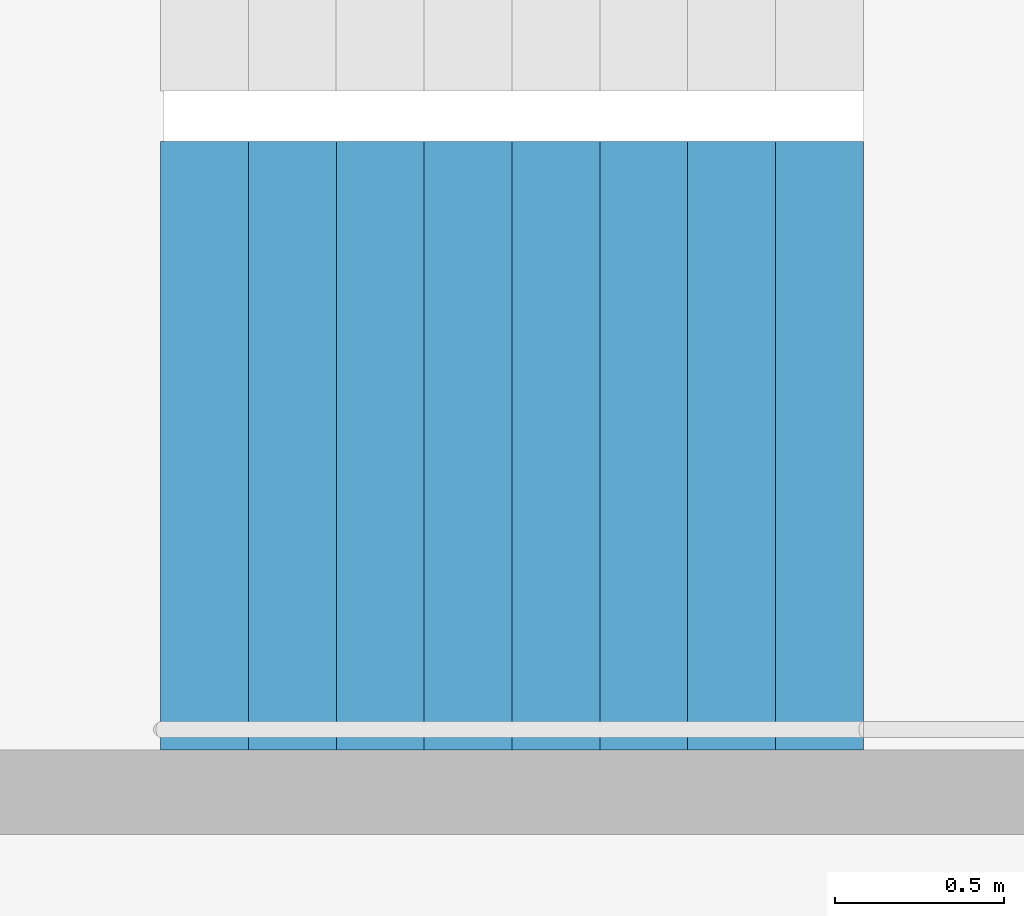
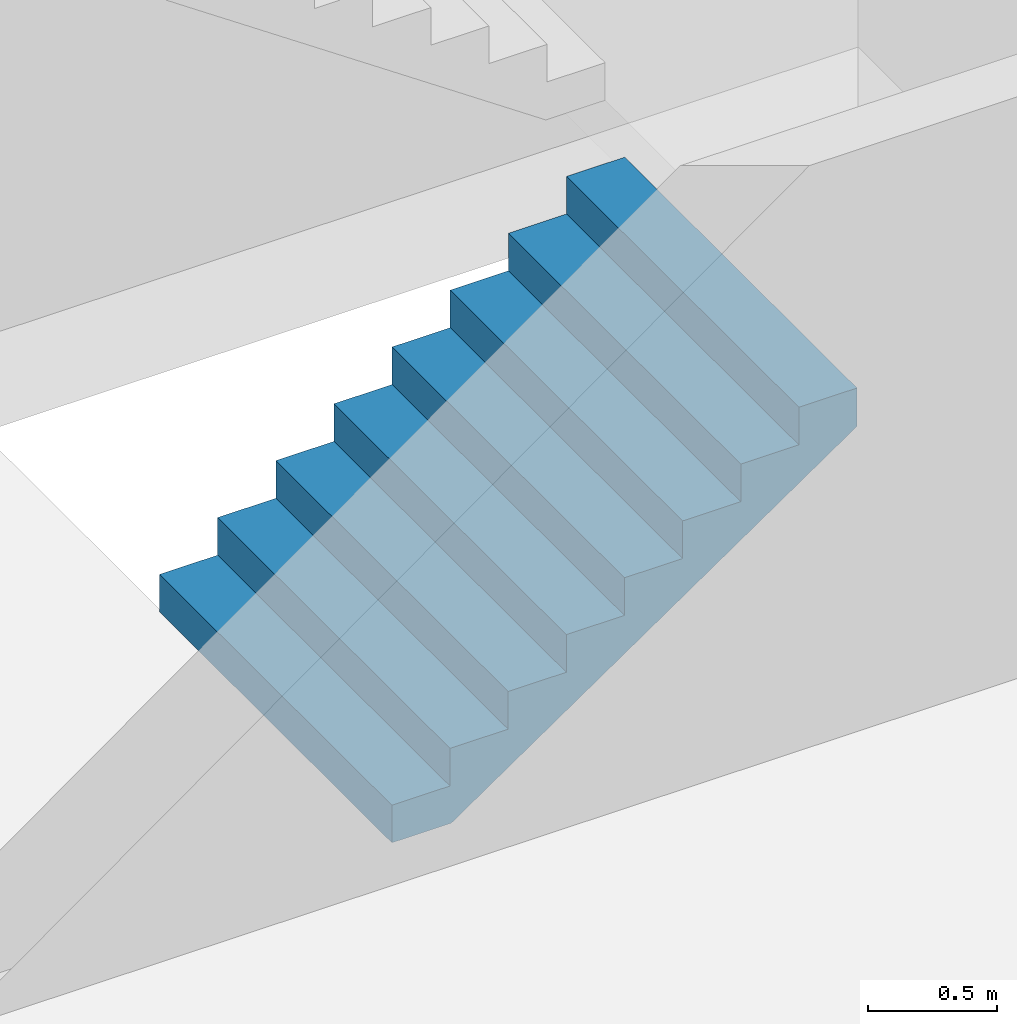
# One storey, part 20 of 26: 1 stair flight, 1 element without a shape of its own.
"""IFC4 building model written with IfcOpenShell, lengths in metres."""

from ifc_helpers import new_model, si_unit, direction, frame, origin, place, context, subcontext, project, spatial, triangles, material, type_object, element, aggregate, save


model = new_model("IFC4")

# Units and contexts
model_context = context("Model", 3, precision=1e-05, world=origin(), true_north=direction((0.0, 1.0)))
body_context = subcontext(model_context, "Body", "Model", "MODEL_VIEW")
ifc_project = project(units=[si_unit("LENGTHUNIT", "METRE"), si_unit("AREAUNIT", "SQUARE_METRE"), si_unit("VOLUMEUNIT", "CUBIC_METRE"), si_unit("PLANEANGLEUNIT", "RADIAN"), si_unit("MASSUNIT", "GRAM", prefix="KILO")], contexts=[model_context])

# Site, building, storey
site_placement = place(None, origin())
site = spatial("IfcSite", under=ifc_project, at=site_placement, CompositionType="ELEMENT")
building_placement = place(site_placement, origin())
building = spatial("IfcBuilding", under=site, at=building_placement, Name="Hakoniwa Tower and Hamabe Station Hall", CompositionType="ELEMENT")
storey_placement = place(building_placement, frame((0.0, 0.0, 140.60009765625)))
storey = spatial("IfcBuildingStorey", under=building, at=storey_placement, Name="L39", CompositionType="ELEMENT", Elevation=140.60009765625)

# Stair, stair flight
ifc_material_1 = material(Name="Concrete C40", Category="concrete")
stair_type = type_object("IfcStairType", Name="ESCAPE STAIR 1800", PredefinedType="HALF_TURN_STAIR", material=ifc_material_1)
stair_placement = place(storey_placement, origin())
stair = element("IfcStair", 1, at=stair_placement, inside=storey, type_object=stair_type, Name="Escape stair ST-1 L39", PredefinedType="HALF_TURN_STAIR")
ifc_material_2 = material(Name="Concrete C40", Category="concrete")
stair_flight_type = type_object("IfcStairFlightType", Name="STAIR FLIGHT 1800", PredefinedType="STRAIGHT", material=ifc_material_2)
stair_flight_placement = place(storey_placement, frame((-24.39990234375, 4.64990234375, 0.0), z_axis=(0.0, 0.0, 1.0), x_axis=(1.0, 0.0, 0.0)))
stair_flight = element("IfcStairFlight", 2, at=stair_flight_placement, type_object=stair_flight_type, Name="ST-1 flight 1", NumberOfRisers=9, NumberOfTreads=8, PredefinedType="STRAIGHT", RiserHeight=0.177777778, TreadLength=0.26, context=body_context, shape_type="Tessellation", body=[
    triangles([(0.0, 0.89990234375, 0.0), (0.260009765625, 0.89990234375, 0.0), (0.265625, 0.89990234375, 0.0), (0.52001953125, 0.89990234375, 0.174072265625), (0.780029296875, 0.89990234375, 0.351806640625), (1.0400390625, 0.89990234375, 0.529541015625), (1.300048828125, 0.89990234375, 0.707275390625), (1.56005859375, 0.89990234375, 0.885009765625), (1.820068359375, 0.89990234375, 1.062744140625), (2.080078125, 0.89990234375, 1.24072265625), (2.080078125, 0.89990234375, 1.422119140625), (1.820068359375, 0.89990234375, 1.422119140625), (1.820068359375, 0.89990234375, 1.244384765625), (1.56005859375, 0.89990234375, 1.244384765625), (1.56005859375, 0.89990234375, 1.066650390625), (1.300048828125, 0.89990234375, 1.066650390625), (1.300048828125, 0.89990234375, 0.888916015625), (1.0400390625, 0.89990234375, 0.888916015625), (1.0400390625, 0.89990234375, 0.711181640625), (0.780029296875, 0.89990234375, 0.711181640625), (0.780029296875, 0.89990234375, 0.533447265625), (0.52001953125, 0.89990234375, 0.533447265625), (0.52001953125, 0.89990234375, 0.35546875), (0.265625, 0.89990234375, 0.35546875), (0.260009765625, 0.89990234375, 0.35546875), (0.260009765625, 0.89990234375, 0.177734375), (0.0, 0.89990234375, 0.177734375), (0.0, 0.06005859375, 0.0), (0.260009765625, 0.06005859375, 0.0), (0.265625, 0.06005859375, 0.0), (0.52001953125, 0.06005859375, 0.174072265625), (0.780029296875, 0.06005859375, 0.351806640625), (1.0400390625, 0.06005859375, 0.529541015625), (1.300048828125, 0.06005859375, 0.707275390625), (1.56005859375, 0.06005859375, 0.885009765625), (1.820068359375, 0.06005859375, 1.062744140625), (2.080078125, 0.06005859375, 1.24072265625), (2.080078125, 0.06005859375, 1.422119140625), (1.820068359375, 0.06005859375, 1.422119140625), (1.820068359375, 0.06005859375, 1.244384765625), (1.56005859375, 0.06005859375, 1.244384765625), (1.56005859375, 0.06005859375, 1.066650390625), (1.300048828125, 0.06005859375, 1.066650390625), (1.300048828125, 0.06005859375, 0.888916015625), (1.0400390625, 0.06005859375, 0.888916015625), (1.0400390625, 0.06005859375, 0.711181640625), (0.780029296875, 0.06005859375, 0.711181640625), (0.780029296875, 0.06005859375, 0.533447265625), (0.52001953125, 0.06005859375, 0.533447265625), (0.52001953125, 0.06005859375, 0.35546875), (0.265625, 0.06005859375, 0.35546875), (0.260009765625, 0.06005859375, 0.35546875), (0.260009765625, 0.06005859375, 0.177734375), (0.0, 0.06005859375, 0.177734375), (0.0, 0.04296875, 0.0), (0.260009765625, 0.04296875, 0.0), (0.265625, 0.04296875, 0.0), (0.52001953125, 0.04296875, 0.174072265625), (0.780029296875, 0.04296875, 0.351806640625), (1.0400390625, 0.04296875, 0.529541015625), (1.300048828125, 0.04296875, 0.707275390625), (1.56005859375, 0.04296875, 0.885009765625), (1.820068359375, 0.04296875, 1.062744140625), (2.080078125, 0.04296875, 1.24072265625), (2.080078125, 0.04296875, 1.422119140625), (1.820068359375, 0.04296875, 1.422119140625), (1.820068359375, 0.04296875, 1.244384765625), (1.56005859375, 0.04296875, 1.244384765625), (1.56005859375, 0.04296875, 1.066650390625), (1.300048828125, 0.04296875, 1.066650390625), (1.300048828125, 0.04296875, 0.888916015625), (1.0400390625, 0.04296875, 0.888916015625), (1.0400390625, 0.04296875, 0.711181640625), (0.780029296875, 0.04296875, 0.711181640625), (0.780029296875, 0.04296875, 0.533447265625), (0.52001953125, 0.04296875, 0.533447265625), (0.52001953125, 0.04296875, 0.35546875), (0.265625, 0.04296875, 0.35546875), (0.260009765625, 0.04296875, 0.35546875), (0.260009765625, 0.04296875, 0.177734375), (0.0, 0.04296875, 0.177734375), (0.0, 0.025634765625, 0.0), (0.260009765625, 0.025634765625, 0.0), (0.265625, 0.025634765625, 0.0), (0.52001953125, 0.025634765625, 0.174072265625), (0.780029296875, 0.025634765625, 0.351806640625), (1.0400390625, 0.025634765625, 0.529541015625), (1.300048828125, 0.025634765625, 0.707275390625), (1.56005859375, 0.025634765625, 0.885009765625), (1.820068359375, 0.025634765625, 1.062744140625), (2.080078125, 0.025634765625, 1.24072265625), (2.080078125, 0.025634765625, 1.422119140625), (1.820068359375, 0.025634765625, 1.422119140625), (1.820068359375, 0.025634765625, 1.244384765625), (1.56005859375, 0.025634765625, 1.244384765625), (1.56005859375, 0.025634765625, 1.066650390625), (1.300048828125, 0.025634765625, 1.066650390625), (1.300048828125, 0.025634765625, 0.888916015625), (1.0400390625, 0.025634765625, 0.888916015625), (1.0400390625, 0.025634765625, 0.711181640625), (0.780029296875, 0.025634765625, 0.711181640625), (0.780029296875, 0.025634765625, 0.533447265625), (0.52001953125, 0.025634765625, 0.533447265625), (0.52001953125, 0.025634765625, 0.35546875), (0.265625, 0.025634765625, 0.35546875), (0.260009765625, 0.025634765625, 0.35546875), (0.260009765625, 0.025634765625, 0.177734375), (0.0, 0.025634765625, 0.177734375), (0.0, 0.008544921875, 0.0), (0.260009765625, 0.008544921875, 0.0), (0.265625, 0.008544921875, 0.0), (0.52001953125, 0.008544921875, 0.174072265625), (0.780029296875, 0.008544921875, 0.351806640625), (1.0400390625, 0.008544921875, 0.529541015625), (1.300048828125, 0.008544921875, 0.707275390625), (1.56005859375, 0.008544921875, 0.885009765625), (1.820068359375, 0.008544921875, 1.062744140625), (2.080078125, 0.008544921875, 1.24072265625), (2.080078125, 0.008544921875, 1.422119140625), (1.820068359375, 0.008544921875, 1.422119140625), (1.820068359375, 0.008544921875, 1.244384765625), (1.56005859375, 0.008544921875, 1.244384765625), (1.56005859375, 0.008544921875, 1.066650390625), (1.300048828125, 0.008544921875, 1.066650390625), (1.300048828125, 0.008544921875, 0.888916015625), (1.0400390625, 0.008544921875, 0.888916015625), (1.0400390625, 0.008544921875, 0.711181640625), (0.780029296875, 0.008544921875, 0.711181640625), (0.780029296875, 0.008544921875, 0.533447265625), (0.52001953125, 0.008544921875, 0.533447265625), (0.52001953125, 0.008544921875, 0.35546875), (0.265625, 0.008544921875, 0.35546875), (0.260009765625, 0.008544921875, 0.35546875), (0.260009765625, 0.008544921875, 0.177734375), (0.0, 0.008544921875, 0.177734375), (0.0, -0.008544921875, 0.0), (0.260009765625, -0.008544921875, 0.0), (0.265625, -0.008544921875, 0.0), (0.52001953125, -0.008544921875, 0.174072265625), (0.780029296875, -0.008544921875, 0.351806640625), (1.0400390625, -0.008544921875, 0.529541015625), (1.300048828125, -0.008544921875, 0.707275390625), (1.56005859375, -0.008544921875, 0.885009765625), (1.820068359375, -0.008544921875, 1.062744140625), (2.080078125, -0.008544921875, 1.24072265625), (2.080078125, -0.008544921875, 1.422119140625), (1.820068359375, -0.008544921875, 1.422119140625), (1.820068359375, -0.008544921875, 1.244384765625), (1.56005859375, -0.008544921875, 1.244384765625), (1.56005859375, -0.008544921875, 1.066650390625), (1.300048828125, -0.008544921875, 1.066650390625), (1.300048828125, -0.008544921875, 0.888916015625), (1.0400390625, -0.008544921875, 0.888916015625), (1.0400390625, -0.008544921875, 0.711181640625), (0.780029296875, -0.008544921875, 0.711181640625), (0.780029296875, -0.008544921875, 0.533447265625), (0.52001953125, -0.008544921875, 0.533447265625), (0.52001953125, -0.008544921875, 0.35546875), (0.265625, -0.008544921875, 0.35546875), (0.260009765625, -0.008544921875, 0.35546875), (0.260009765625, -0.008544921875, 0.177734375), (0.0, -0.008544921875, 0.177734375), (0.0, -0.025634765625, 0.0), (0.260009765625, -0.025634765625, 0.0), (0.265625, -0.025634765625, 0.0), (0.52001953125, -0.025634765625, 0.174072265625), (0.780029296875, -0.025634765625, 0.351806640625), (1.0400390625, -0.025634765625, 0.529541015625), (1.300048828125, -0.025634765625, 0.707275390625), (1.56005859375, -0.025634765625, 0.885009765625), (1.820068359375, -0.025634765625, 1.062744140625), (2.080078125, -0.025634765625, 1.24072265625), (2.080078125, -0.025634765625, 1.422119140625), (1.820068359375, -0.025634765625, 1.422119140625), (1.820068359375, -0.025634765625, 1.244384765625), (1.56005859375, -0.025634765625, 1.244384765625), (1.56005859375, -0.025634765625, 1.066650390625), (1.300048828125, -0.025634765625, 1.066650390625), (1.300048828125, -0.025634765625, 0.888916015625), (1.0400390625, -0.025634765625, 0.888916015625), (1.0400390625, -0.025634765625, 0.711181640625), (0.780029296875, -0.025634765625, 0.711181640625), (0.780029296875, -0.025634765625, 0.533447265625), (0.52001953125, -0.025634765625, 0.533447265625), (0.52001953125, -0.025634765625, 0.35546875), (0.265625, -0.025634765625, 0.35546875), (0.260009765625, -0.025634765625, 0.35546875), (0.260009765625, -0.025634765625, 0.177734375), (0.0, -0.025634765625, 0.177734375), (0.0, -0.04296875, 0.0), (0.260009765625, -0.04296875, 0.0), (0.265625, -0.04296875, 0.0), (0.52001953125, -0.04296875, 0.174072265625), (0.780029296875, -0.04296875, 0.351806640625), (1.0400390625, -0.04296875, 0.529541015625), (1.300048828125, -0.04296875, 0.707275390625), (1.56005859375, -0.04296875, 0.885009765625), (1.820068359375, -0.04296875, 1.062744140625), (2.080078125, -0.04296875, 1.24072265625), (2.080078125, -0.04296875, 1.422119140625), (1.820068359375, -0.04296875, 1.422119140625), (1.820068359375, -0.04296875, 1.244384765625), (1.56005859375, -0.04296875, 1.244384765625), (1.56005859375, -0.04296875, 1.066650390625), (1.300048828125, -0.04296875, 1.066650390625), (1.300048828125, -0.04296875, 0.888916015625), (1.0400390625, -0.04296875, 0.888916015625), (1.0400390625, -0.04296875, 0.711181640625), (0.780029296875, -0.04296875, 0.711181640625), (0.780029296875, -0.04296875, 0.533447265625), (0.52001953125, -0.04296875, 0.533447265625), (0.52001953125, -0.04296875, 0.35546875), (0.265625, -0.04296875, 0.35546875), (0.260009765625, -0.04296875, 0.35546875), (0.260009765625, -0.04296875, 0.177734375), (0.0, -0.04296875, 0.177734375), (0.0, -0.06005859375, 0.0), (0.260009765625, -0.06005859375, 0.0), (0.265625, -0.06005859375, 0.0), (0.52001953125, -0.06005859375, 0.174072265625), (0.780029296875, -0.06005859375, 0.351806640625), (1.0400390625, -0.06005859375, 0.529541015625), (1.300048828125, -0.06005859375, 0.707275390625), (1.56005859375, -0.06005859375, 0.885009765625), (1.820068359375, -0.06005859375, 1.062744140625), (2.080078125, -0.06005859375, 1.24072265625), (2.080078125, -0.06005859375, 1.422119140625), (1.820068359375, -0.06005859375, 1.422119140625), (1.820068359375, -0.06005859375, 1.244384765625), (1.56005859375, -0.06005859375, 1.244384765625), (1.56005859375, -0.06005859375, 1.066650390625), (1.300048828125, -0.06005859375, 1.066650390625), (1.300048828125, -0.06005859375, 0.888916015625), (1.0400390625, -0.06005859375, 0.888916015625), (1.0400390625, -0.06005859375, 0.711181640625), (0.780029296875, -0.06005859375, 0.711181640625), (0.780029296875, -0.06005859375, 0.533447265625), (0.52001953125, -0.06005859375, 0.533447265625), (0.52001953125, -0.06005859375, 0.35546875), (0.265625, -0.06005859375, 0.35546875), (0.260009765625, -0.06005859375, 0.35546875), (0.260009765625, -0.06005859375, 0.177734375), (0.0, -0.06005859375, 0.177734375), (0.0, -0.89990234375, 0.0), (0.260009765625, -0.89990234375, 0.0), (0.265625, -0.89990234375, 0.0), (0.52001953125, -0.89990234375, 0.174072265625), (0.780029296875, -0.89990234375, 0.351806640625), (1.0400390625, -0.89990234375, 0.529541015625), (1.300048828125, -0.89990234375, 0.707275390625), (1.56005859375, -0.89990234375, 0.885009765625), (1.820068359375, -0.89990234375, 1.062744140625), (2.080078125, -0.89990234375, 1.24072265625), (2.080078125, -0.89990234375, 1.422119140625), (1.820068359375, -0.89990234375, 1.422119140625), (1.820068359375, -0.89990234375, 1.244384765625), (1.56005859375, -0.89990234375, 1.244384765625), (1.56005859375, -0.89990234375, 1.066650390625), (1.300048828125, -0.89990234375, 1.066650390625), (1.300048828125, -0.89990234375, 0.888916015625), (1.0400390625, -0.89990234375, 0.888916015625), (1.0400390625, -0.89990234375, 0.711181640625), (0.780029296875, -0.89990234375, 0.711181640625), (0.780029296875, -0.89990234375, 0.533447265625), (0.52001953125, -0.89990234375, 0.533447265625), (0.52001953125, -0.89990234375, 0.35546875), (0.265625, -0.89990234375, 0.35546875), (0.260009765625, -0.89990234375, 0.35546875), (0.260009765625, -0.89990234375, 0.177734375), (0.0, -0.89990234375, 0.177734375)], [[2, 27, 26], [245, 269, 270], [2, 1, 27], [245, 270, 244], [3, 25, 24], [246, 267, 268], [3, 26, 25], [246, 268, 269], [3, 2, 26], [246, 269, 245], [4, 24, 23], [247, 266, 267], [4, 3, 24], [247, 267, 246], [5, 22, 21], [248, 264, 265], [5, 23, 22], [248, 265, 266], [5, 4, 23], [248, 266, 247], [6, 20, 19], [249, 262, 263], [6, 21, 20], [249, 263, 264], [6, 5, 21], [249, 264, 248], [7, 18, 17], [250, 260, 261], [7, 19, 18], [250, 261, 262], [7, 6, 19], [250, 262, 249], [8, 16, 15], [251, 258, 259], [8, 17, 16], [251, 259, 260], [8, 7, 17], [251, 260, 250], [9, 14, 13], [252, 256, 257], [9, 15, 14], [252, 257, 258], [9, 8, 15], [252, 258, 251], [10, 12, 11], [253, 254, 255], [10, 13, 12], [253, 255, 256], [10, 9, 13], [253, 256, 252], [1, 2, 29], [1, 29, 28], [28, 29, 56], [28, 56, 55], [55, 56, 83], [55, 83, 82], [82, 83, 110], [82, 110, 109], [109, 110, 137], [109, 137, 136], [136, 137, 164], [136, 164, 163], [163, 164, 191], [163, 191, 190], [190, 191, 218], [190, 218, 217], [217, 218, 245], [217, 245, 244], [2, 3, 30], [2, 30, 29], [29, 30, 57], [29, 57, 56], [56, 57, 84], [56, 84, 83], [83, 84, 111], [83, 111, 110], [110, 111, 138], [110, 138, 137], [137, 138, 165], [137, 165, 164], [164, 165, 192], [164, 192, 191], [191, 192, 219], [191, 219, 218], [218, 219, 246], [218, 246, 245], [3, 4, 31], [3, 31, 30], [30, 31, 58], [30, 58, 57], [57, 58, 85], [57, 85, 84], [84, 85, 112], [84, 112, 111], [111, 112, 139], [111, 139, 138], [138, 139, 166], [138, 166, 165], [165, 166, 193], [165, 193, 192], [192, 193, 220], [192, 220, 219], [219, 220, 247], [219, 247, 246], [4, 5, 32], [4, 32, 31], [31, 32, 59], [31, 59, 58], [58, 59, 86], [58, 86, 85], [85, 86, 113], [85, 113, 112], [112, 113, 140], [112, 140, 139], [139, 140, 167], [139, 167, 166], [166, 167, 194], [166, 194, 193], [193, 194, 221], [193, 221, 220], [220, 221, 248], [220, 248, 247], [5, 6, 33], [5, 33, 32], [32, 33, 60], [32, 60, 59], [59, 60, 87], [59, 87, 86], [86, 87, 114], [86, 114, 113], [113, 114, 141], [113, 141, 140], [140, 141, 168], [140, 168, 167], [167, 168, 195], [167, 195, 194], [194, 195, 222], [194, 222, 221], [221, 222, 249], [221, 249, 248], [6, 7, 34], [6, 34, 33], [33, 34, 61], [33, 61, 60], [60, 61, 88], [60, 88, 87], [87, 88, 115], [87, 115, 114], [114, 115, 142], [114, 142, 141], [141, 142, 169], [141, 169, 168], [168, 169, 196], [168, 196, 195], [195, 196, 223], [195, 223, 222], [222, 223, 250], [222, 250, 249], [7, 8, 35], [7, 35, 34], [34, 35, 62], [34, 62, 61], [61, 62, 89], [61, 89, 88], [88, 89, 116], [88, 116, 115], [115, 116, 143], [115, 143, 142], [142, 143, 170], [142, 170, 169], [169, 170, 197], [169, 197, 196], [196, 197, 224], [196, 224, 223], [223, 224, 251], [223, 251, 250], [8, 9, 36], [8, 36, 35], [35, 36, 63], [35, 63, 62], [62, 63, 90], [62, 90, 89], [89, 90, 117], [89, 117, 116], [116, 117, 144], [116, 144, 143], [143, 144, 171], [143, 171, 170], [170, 171, 198], [170, 198, 197], [197, 198, 225], [197, 225, 224], [224, 225, 252], [224, 252, 251], [9, 10, 37], [9, 37, 36], [36, 37, 64], [36, 64, 63], [63, 64, 91], [63, 91, 90], [90, 91, 118], [90, 118, 117], [117, 118, 145], [117, 145, 144], [144, 145, 172], [144, 172, 171], [171, 172, 199], [171, 199, 198], [198, 199, 226], [198, 226, 225], [225, 226, 253], [225, 253, 252], [10, 11, 38], [10, 38, 37], [37, 38, 65], [37, 65, 64], [64, 65, 92], [64, 92, 91], [91, 92, 119], [91, 119, 118], [118, 119, 146], [118, 146, 145], [145, 146, 173], [145, 173, 172], [172, 173, 200], [172, 200, 199], [199, 200, 227], [199, 227, 226], [226, 227, 254], [226, 254, 253], [11, 12, 39], [11, 39, 38], [38, 39, 66], [38, 66, 65], [65, 66, 93], [65, 93, 92], [92, 93, 120], [92, 120, 119], [119, 120, 147], [119, 147, 146], [146, 147, 174], [146, 174, 173], [173, 174, 201], [173, 201, 200], [200, 201, 228], [200, 228, 227], [227, 228, 255], [227, 255, 254], [12, 13, 40], [12, 40, 39], [39, 40, 67], [39, 67, 66], [66, 67, 94], [66, 94, 93], [93, 94, 121], [93, 121, 120], [120, 121, 148], [120, 148, 147], [147, 148, 175], [147, 175, 174], [174, 175, 202], [174, 202, 201], [201, 202, 229], [201, 229, 228], [228, 229, 256], [228, 256, 255], [13, 14, 41], [13, 41, 40], [40, 41, 68], [40, 68, 67], [67, 68, 95], [67, 95, 94], [94, 95, 122], [94, 122, 121], [121, 122, 149], [121, 149, 148], [148, 149, 176], [148, 176, 175], [175, 176, 203], [175, 203, 202], [202, 203, 230], [202, 230, 229], [229, 230, 257], [229, 257, 256], [14, 15, 42], [14, 42, 41], [41, 42, 69], [41, 69, 68], [68, 69, 96], [68, 96, 95], [95, 96, 123], [95, 123, 122], [122, 123, 150], [122, 150, 149], [149, 150, 177], [149, 177, 176], [176, 177, 204], [176, 204, 203], [203, 204, 231], [203, 231, 230], [230, 231, 258], [230, 258, 257], [15, 16, 43], [15, 43, 42], [42, 43, 70], [42, 70, 69], [69, 70, 97], [69, 97, 96], [96, 97, 124], [96, 124, 123], [123, 124, 151], [123, 151, 150], [150, 151, 178], [150, 178, 177], [177, 178, 205], [177, 205, 204], [204, 205, 232], [204, 232, 231], [231, 232, 259], [231, 259, 258], [16, 17, 44], [16, 44, 43], [43, 44, 71], [43, 71, 70], [70, 71, 98], [70, 98, 97], [97, 98, 125], [97, 125, 124], [124, 125, 152], [124, 152, 151], [151, 152, 179], [151, 179, 178], [178, 179, 206], [178, 206, 205], [205, 206, 233], [205, 233, 232], [232, 233, 260], [232, 260, 259], [17, 18, 45], [17, 45, 44], [44, 45, 72], [44, 72, 71], [71, 72, 99], [71, 99, 98], [98, 99, 126], [98, 126, 125], [125, 126, 153], [125, 153, 152], [152, 153, 180], [152, 180, 179], [179, 180, 207], [179, 207, 206], [206, 207, 234], [206, 234, 233], [233, 234, 261], [233, 261, 260], [18, 19, 46], [18, 46, 45], [45, 46, 73], [45, 73, 72], [72, 73, 100], [72, 100, 99], [99, 100, 127], [99, 127, 126], [126, 127, 154], [126, 154, 153], [153, 154, 181], [153, 181, 180], [180, 181, 208], [180, 208, 207], [207, 208, 235], [207, 235, 234], [234, 235, 262], [234, 262, 261], [19, 20, 47], [19, 47, 46], [46, 47, 74], [46, 74, 73], [73, 74, 101], [73, 101, 100], [100, 101, 128], [100, 128, 127], [127, 128, 155], [127, 155, 154], [154, 155, 182], [154, 182, 181], [181, 182, 209], [181, 209, 208], [208, 209, 236], [208, 236, 235], [235, 236, 263], [235, 263, 262], [20, 21, 48], [20, 48, 47], [47, 48, 75], [47, 75, 74], [74, 75, 102], [74, 102, 101], [101, 102, 129], [101, 129, 128], [128, 129, 156], [128, 156, 155], [155, 156, 183], [155, 183, 182], [182, 183, 210], [182, 210, 209], [209, 210, 237], [209, 237, 236], [236, 237, 264], [236, 264, 263], [21, 22, 49], [21, 49, 48], [48, 49, 76], [48, 76, 75], [75, 76, 103], [75, 103, 102], [102, 103, 130], [102, 130, 129], [129, 130, 157], [129, 157, 156], [156, 157, 184], [156, 184, 183], [183, 184, 211], [183, 211, 210], [210, 211, 238], [210, 238, 237], [237, 238, 265], [237, 265, 264], [22, 23, 50], [22, 50, 49], [49, 50, 77], [49, 77, 76], [76, 77, 104], [76, 104, 103], [103, 104, 131], [103, 131, 130], [130, 131, 158], [130, 158, 157], [157, 158, 185], [157, 185, 184], [184, 185, 212], [184, 212, 211], [211, 212, 239], [211, 239, 238], [238, 239, 266], [238, 266, 265], [23, 24, 51], [23, 51, 50], [50, 51, 78], [50, 78, 77], [77, 78, 105], [77, 105, 104], [104, 105, 132], [104, 132, 131], [131, 132, 159], [131, 159, 158], [158, 159, 186], [158, 186, 185], [185, 186, 213], [185, 213, 212], [212, 213, 240], [212, 240, 239], [239, 240, 267], [239, 267, 266], [24, 25, 52], [24, 52, 51], [51, 52, 79], [51, 79, 78], [78, 79, 106], [78, 106, 105], [105, 106, 133], [105, 133, 132], [132, 133, 160], [132, 160, 159], [159, 160, 187], [159, 187, 186], [186, 187, 214], [186, 214, 213], [213, 214, 241], [213, 241, 240], [240, 241, 268], [240, 268, 267], [25, 26, 53], [25, 53, 52], [52, 53, 80], [52, 80, 79], [79, 80, 107], [79, 107, 106], [106, 107, 134], [106, 134, 133], [133, 134, 161], [133, 161, 160], [160, 161, 188], [160, 188, 187], [187, 188, 215], [187, 215, 214], [214, 215, 242], [214, 242, 241], [241, 242, 269], [241, 269, 268], [26, 27, 54], [26, 54, 53], [53, 54, 81], [53, 81, 80], [80, 81, 108], [80, 108, 107], [107, 108, 135], [107, 135, 134], [134, 135, 162], [134, 162, 161], [161, 162, 189], [161, 189, 188], [188, 189, 216], [188, 216, 215], [215, 216, 243], [215, 243, 242], [242, 243, 270], [242, 270, 269], [27, 1, 28], [27, 28, 54], [54, 28, 55], [54, 55, 81], [81, 55, 82], [81, 82, 108], [108, 82, 109], [108, 109, 135], [135, 109, 136], [135, 136, 162], [162, 136, 163], [162, 163, 189], [189, 163, 190], [189, 190, 216], [216, 190, 217], [216, 217, 243], [243, 217, 244], [243, 244, 270]], closed=True),
])
aggregate(stair, [stair_flight])

save(model, "model.ifc")
